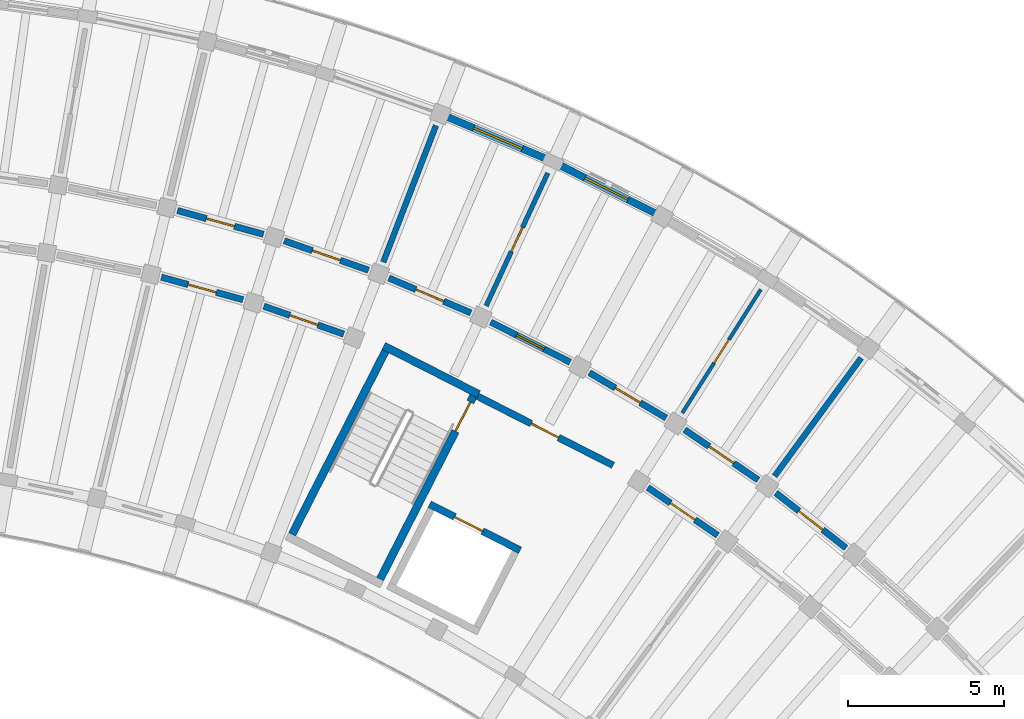
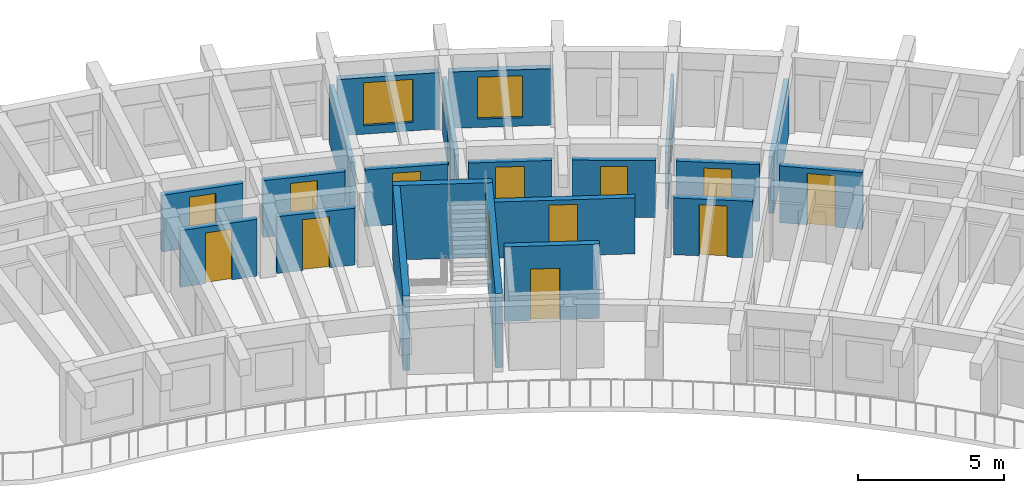
# One storey, part 72 of 96: 21 walls, 15 doors, 2 windows, 17 openings.
"""IFC4 building model written with IfcOpenShell, lengths in metres."""

from ifc_helpers import new_model, si_unit, direction, frame, frame_2d, origin, place, context, subcontext, project, spatial, rectangle, extrude, material, layer, layer_set, type_object, element, fill, save


model = new_model("IFC4")

# Units and contexts
model_context = context("Model", 3, precision=1e-05, world=origin(), true_north=direction((0.0, 1.0)))
body_context = subcontext(model_context, "Body", "Model", "MODEL_VIEW")
ifc_project = project(units=[si_unit("LENGTHUNIT", "METRE"), si_unit("AREAUNIT", "SQUARE_METRE"), si_unit("VOLUMEUNIT", "CUBIC_METRE"), si_unit("PLANEANGLEUNIT", "RADIAN"), si_unit("MASSUNIT", "GRAM", prefix="KILO")], contexts=[model_context])

# Site, building, storey
site_placement = place(None, origin())
site = spatial("IfcSite", under=ifc_project, at=site_placement, CompositionType="ELEMENT")
building_placement = place(site_placement, origin())
building = spatial("IfcBuilding", under=site, at=building_placement, Name="Tanwirah Colonnade Gardens", CompositionType="ELEMENT")
storey_placement = place(building_placement, frame((0.0, 0.0, 12.199951171875)))
storey = spatial("IfcBuildingStorey", under=building, at=storey_placement, Name="L03", CompositionType="ELEMENT", Elevation=12.199951171875)

# Wall, opening, window
ifc_material_1 = material(Name="Limestone architectural precast concrete C40/50", Category="masonry")
ifc_layer_1 = layer(ifc_material_1, 0.239990234375)
ifc_layer_set_1 = layer_set([ifc_layer_1], Name="Limestone architectural precast concrete C40/50")
wall_type_1 = type_object("IfcWallType", Name="EW-PC240", PredefinedType="SOLIDWALL", material=ifc_layer_set_1)
wall_1_placement = place(storey_placement, frame((149.34814453125, 112.56103515625, 0.0), z_axis=(0.0, 0.0, 1.0), x_axis=(-0.892756700232, 0.450539092855, 0.0)))
wall_1 = element("IfcWall", 1, at=wall_1_placement, inside=storey, type_object=wall_type_1, Name="Block B L03 OUT Precast Facade Wall 12", PredefinedType="SOLIDWALL", context=body_context, shape_type="SweptSolid", body=[
    extrude(rectangle(XDim=3.520751953125, YDim=0.239990234375, at=frame_2d((1.76025390625, 0.0))), origin(), (0.0, 0.0, 1.0), 2.35498046875),
])
opening_1_placement = place(wall_1_placement, frame((0.9853515625, 0.0, 0.35009765625)))
opening_1 = element("IfcOpeningElement", 2, at=opening_1_placement, cuts=wall_1, Name="Opening WIN-T09", PredefinedType="OPENING", context=body_context, shape_type="SweptSolid", body=[
    extrude(rectangle(XDim=1.550048828125, YDim=1.75, at=frame_2d((0.77490234375, 0.875))), frame((0.0, 0.1298828125, 0.0), z_axis=(0.0, -1.0, 0.0), x_axis=(1.0, 0.0, 0.0)), (0.0, 0.0, 1.0), 0.260009765625),
])
ifc_material_2 = material(Name="Thermally broken bronze aluminium and solar low-E double glazing", Category="aluminium")
window_type_1 = type_object("IfcWindowType", Name="WIN-T09", PartitioningType="DOUBLE_PANEL_VERTICAL", PredefinedType="WINDOW", material=ifc_material_2)
window_1_placement = place(opening_1_placement, origin())
window_1 = element("IfcWindow", 3, at=window_1_placement, inside=storey, type_object=window_type_1, Name="Facade window B-L03-OUT-12", OverallHeight=1.75, OverallWidth=1.550048828125, PartitioningType="SINGLE_PANEL", PredefinedType="WINDOW", context=body_context, shape_type="SweptSolid", body=[
    extrude(rectangle(XDim=1.550048828125, YDim=1.75, at=frame_2d((0.77490234375, 0.875))), frame((0.0, 0.030029296875, 0.0), z_axis=(0.0, -1.0, 0.0), x_axis=(1.0, 0.0, 0.0)), (0.0, 0.0, 1.0), 0.06005859375),
])
fill(opening_1, window_1)

wall_2_placement = place(storey_placement, frame((145.9150390625, 114.28173828125, 0.0), z_axis=(0.0, 0.0, 1.0), x_axis=(-0.920502438884, 0.390736816807, 0.0)))
wall_2 = element("IfcWall", 4, at=wall_2_placement, inside=storey, type_object=wall_type_1, Name="Block B L03 OUT Precast Facade Wall 13", PredefinedType="SOLIDWALL", context=body_context, shape_type="SweptSolid", body=[
    extrude(rectangle(XDim=3.520751953125, YDim=0.239990234375, at=frame_2d((1.76025390625, 0.0))), origin(), (0.0, 0.0, 1.0), 2.35498046875),
])
opening_2_placement = place(wall_2_placement, frame((0.910400390625, 0.0, 0.35009765625)))
opening_2 = element("IfcOpeningElement", 5, at=opening_2_placement, cuts=wall_2, Name="Opening WIN-T12", PredefinedType="OPENING", context=body_context, shape_type="SweptSolid", body=[
    extrude(rectangle(XDim=1.699951171875, YDim=1.800048828125, at=frame_2d((0.85009765625, 0.89990234375))), frame((0.0, 0.1298828125, 0.0), z_axis=(0.0, -1.0, 0.0), x_axis=(1.0, 0.0, 0.0)), (0.0, 0.0, 1.0), 0.260009765625),
])
window_type_2 = type_object("IfcWindowType", Name="WIN-T12", PartitioningType="TRIPLE_PANEL_VERTICAL", PredefinedType="WINDOW", material=ifc_material_2)
window_2_placement = place(opening_2_placement, origin())
window_2 = element("IfcWindow", 6, at=window_2_placement, inside=storey, type_object=window_type_2, Name="Facade window B-L03-OUT-13", OverallHeight=1.800048828125, OverallWidth=1.699951171875, PartitioningType="SINGLE_PANEL", PredefinedType="WINDOW", context=body_context, shape_type="SweptSolid", body=[
    extrude(rectangle(XDim=1.699951171875, YDim=1.800048828125, at=frame_2d((0.85009765625, 0.89990234375))), frame((0.0, 0.030029296875, 0.0), z_axis=(0.0, -1.0, 0.0), x_axis=(1.0, 0.0, 0.0)), (0.0, 0.0, 1.0), 0.06005859375),
])
fill(opening_2, window_2)

# Wall, opening, door
ifc_material_3 = material(Name="Precast concrete C40/50", Category="concrete")
ifc_layer_2 = layer(ifc_material_3, 0.205078125)
ifc_layer_set_2 = layer_set([ifc_layer_2], Name="Precast concrete C40/50")
wall_type_2 = type_object("IfcWallType", Name="IW-CORR205", PredefinedType="PARTITIONING", material=ifc_layer_set_2)
wall_3_placement = place(storey_placement, frame((155.46728515625, 101.82080078125, 0.0), z_axis=(0.0, 0.0, 1.0), x_axis=(-0.786806323554, 0.617199975061, 0.0)))
wall_3 = element("IfcWall", 7, at=wall_3_placement, inside=storey, type_object=wall_type_2, Name="Block B L03 OUT Corridor Wall 9", PredefinedType="PARTITIONING", context=body_context, shape_type="SweptSolid", body=[
    extrude(rectangle(XDim=2.863037109375, YDim=0.205078125, at=frame_2d((1.431640625, 0.0))), origin(), (0.0, 0.0, 1.0), 2.3701171875),
])
opening_3_placement = place(wall_3_placement, frame((0.946533203125, 0.0, 0.0)))
opening_3 = element("IfcOpeningElement", 8, at=opening_3_placement, cuts=wall_3, Name="Opening L03-AD938", PredefinedType="OPENING", context=body_context, shape_type="SweptSolid", body=[
    extrude(rectangle(XDim=0.969970703125, YDim=2.14990234375, at=frame_2d((0.48486328125, 1.074951171875))), frame((0.0, 0.112548828125, 0.0), z_axis=(0.0, -1.0, 0.0), x_axis=(1.0, 0.0, 0.0)), (0.0, 0.0, 1.0), 0.22509765625),
])
ifc_material_4 = material(Name="Solid oak fire-resisting apartment entrance door")
door_type_1 = type_object("IfcDoorType", Name="ID-FLT097", OperationType="NOTDEFINED", PredefinedType="DOOR", material=ifc_material_4)
door_1_placement = place(opening_3_placement, origin())
door_1 = element("IfcDoor", 9, at=door_1_placement, inside=storey, type_object=door_type_1, Name="Apartment corridor door L03-AD938", OperationType="SINGLE_SWING_LEFT", OverallHeight=2.14990234375, OverallWidth=0.969970703125, PredefinedType="DOOR", context=body_context, shape_type="SweptSolid", body=[
    extrude(rectangle(XDim=0.969970703125, YDim=2.14990234375, at=frame_2d((0.48486328125, 1.074951171875))), frame((0.0, 0.02490234375, 0.0), z_axis=(0.0, -1.0, 0.0), x_axis=(1.0, 0.0, 0.0)), (0.0, 0.0, 1.0), 0.050048828125),
])
fill(opening_3, door_1)

wall_4_placement = place(storey_placement, frame((152.650146484375, 104.001220703125, 0.0), z_axis=(0.0, 0.0, 1.0), x_axis=(-0.825779671787, 0.563992848947, 0.0)))
wall_4 = element("IfcWall", 10, at=wall_4_placement, inside=storey, type_object=wall_type_2, Name="Block B L03 OUT Corridor Wall 10", PredefinedType="PARTITIONING", context=body_context, shape_type="SweptSolid", body=[
    extrude(rectangle(XDim=2.863037109375, YDim=0.205078125, at=frame_2d((1.431640625, 0.0))), origin(), (0.0, 0.0, 1.0), 2.3701171875),
])
opening_4_placement = place(wall_4_placement, frame((0.95654296875, 0.0, 0.0)))
opening_4 = element("IfcOpeningElement", 11, at=opening_4_placement, cuts=wall_4, Name="Opening L03-AD941", PredefinedType="OPENING", context=body_context, shape_type="SweptSolid", body=[
    extrude(rectangle(XDim=0.949951171875, YDim=2.1298828125, at=frame_2d((0.47509765625, 1.06494140625))), frame((0.0, 0.112548828125, 0.0), z_axis=(0.0, -1.0, 0.0), x_axis=(1.0, 0.0, 0.0)), (0.0, 0.0, 1.0), 0.22509765625),
])
door_type_2 = type_object("IfcDoorType", Name="ID-FLT095", OperationType="NOTDEFINED", PredefinedType="DOOR", material=ifc_material_4)
door_2_placement = place(opening_4_placement, origin())
door_2 = element("IfcDoor", 12, at=door_2_placement, inside=storey, type_object=door_type_2, Name="Apartment corridor door L03-AD941", OperationType="SINGLE_SWING_RIGHT", OverallHeight=2.1298828125, OverallWidth=0.949951171875, PredefinedType="DOOR", context=body_context, shape_type="SweptSolid", body=[
    extrude(rectangle(XDim=0.949951171875, YDim=2.1298828125, at=frame_2d((0.47509765625, 1.06494140625))), frame((0.0, 0.02490234375, 0.0), z_axis=(0.0, -1.0, 0.0), x_axis=(1.0, 0.0, 0.0)), (0.0, 0.0, 1.0), 0.050048828125),
])
fill(opening_4, door_2)

wall_5_placement = place(storey_placement, frame((151.35009765625, 102.226318359375, 0.0), z_axis=(0.0, 0.0, 1.0), x_axis=(-0.825752009056, 0.56403334967, 0.0)))
wall_5 = element("IfcWall", 13, at=wall_5_placement, inside=storey, type_object=wall_type_2, Name="Block B L03 IN Corridor Wall 10", PredefinedType="PARTITIONING", context=body_context, shape_type="SweptSolid", body=[
    extrude(rectangle(XDim=2.71826171875, YDim=0.205078125, at=frame_2d((1.359130859375, 0.0))), origin(), (0.0, 0.0, 1.0), 2.3701171875),
])
opening_5_placement = place(wall_5_placement, frame((0.884033203125, 0.0, 0.0)))
opening_5 = element("IfcOpeningElement", 14, at=opening_5_placement, cuts=wall_5, Name="Opening L03-AD942", PredefinedType="OPENING", context=body_context, shape_type="SweptSolid", body=[
    extrude(rectangle(XDim=0.949951171875, YDim=2.1298828125, at=frame_2d((0.47509765625, 1.06494140625))), frame((0.0, 0.112548828125, 0.0), z_axis=(0.0, -1.0, 0.0), x_axis=(1.0, 0.0, 0.0)), (0.0, 0.0, 1.0), 0.22509765625),
])
door_3_placement = place(opening_5_placement, origin())
door_3 = element("IfcDoor", 15, at=door_3_placement, inside=storey, type_object=door_type_2, Name="Apartment corridor door L03-AD942", OperationType="SINGLE_SWING_LEFT", OverallHeight=2.1298828125, OverallWidth=0.949951171875, PredefinedType="DOOR", context=body_context, shape_type="SweptSolid", body=[
    extrude(rectangle(XDim=0.949951171875, YDim=2.1298828125, at=frame_2d((0.47509765625, 1.06494140625))), frame((0.0, 0.02490234375, 0.0), z_axis=(0.0, -1.0, 0.0), x_axis=(1.0, 0.0, 0.0)), (0.0, 0.0, 1.0), 0.050048828125),
])
fill(opening_5, door_3)

wall_6_placement = place(storey_placement, frame((149.6953125, 105.991455078125, 0.0), z_axis=(0.0, 0.0, 1.0), x_axis=(-0.861113214678, 0.508413248753, 0.0)))
wall_6 = element("IfcWall", 16, at=wall_6_placement, inside=storey, type_object=wall_type_2, Name="Block B L03 OUT Corridor Wall 11", PredefinedType="PARTITIONING", context=body_context, shape_type="SweptSolid", body=[
    extrude(rectangle(XDim=2.863037109375, YDim=0.205078125, at=frame_2d((1.431640625, 0.0))), origin(), (0.0, 0.0, 1.0), 2.3701171875),
])
opening_6_placement = place(wall_6_placement, frame((0.966552734375, 0.0, 0.0)))
opening_6 = element("IfcOpeningElement", 17, at=opening_6_placement, cuts=wall_6, Name="Opening L03-AD944", PredefinedType="OPENING", context=body_context, shape_type="SweptSolid", body=[
    extrude(rectangle(XDim=0.929931640625, YDim=2.1201171875, at=frame_2d((0.46484375, 1.06005859375))), frame((0.0, 0.112548828125, 0.0), z_axis=(0.0, -1.0, 0.0), x_axis=(1.0, 0.0, 0.0)), (0.0, 0.0, 1.0), 0.22509765625),
])
door_type_3 = type_object("IfcDoorType", Name="ID-FLT093", OperationType="NOTDEFINED", PredefinedType="DOOR", material=ifc_material_4)
door_4_placement = place(opening_6_placement, origin())
door_4 = element("IfcDoor", 18, at=door_4_placement, inside=storey, type_object=door_type_3, Name="Apartment corridor door L03-AD944", OperationType="SINGLE_SWING_LEFT", OverallHeight=2.1201171875, OverallWidth=0.929931640625, PredefinedType="DOOR", context=body_context, shape_type="SweptSolid", body=[
    extrude(rectangle(XDim=0.929931640625, YDim=2.1201171875, at=frame_2d((0.46484375, 1.06005859375))), frame((0.0, 0.02490234375, 0.0), z_axis=(0.0, -1.0, 0.0), x_axis=(1.0, 0.0, 0.0)), (0.0, 0.0, 1.0), 0.050048828125),
])
fill(opening_6, door_4)

wall_7_placement = place(storey_placement, frame((146.615966796875, 107.782470703125, 0.0), z_axis=(0.0, 0.0, 1.0), x_axis=(-0.89273239336, 0.450587254419, 0.0)))
wall_7 = element("IfcWall", 19, at=wall_7_placement, inside=storey, type_object=wall_type_2, Name="Block B L03 OUT Corridor Wall 12", PredefinedType="PARTITIONING", context=body_context, shape_type="SweptSolid", body=[
    extrude(rectangle(XDim=2.863037109375, YDim=0.205078125, at=frame_2d((1.431640625, 0.0))), origin(), (0.0, 0.0, 1.0), 2.3701171875),
])
opening_7_placement = place(wall_7_placement, frame((0.9365234375, 0.0, 0.0)))
opening_7 = element("IfcOpeningElement", 20, at=opening_7_placement, cuts=wall_7, Name="Opening L03-AD945", PredefinedType="OPENING", context=body_context, shape_type="SweptSolid", body=[
    extrude(rectangle(XDim=0.989990234375, YDim=2.159912109375, at=frame_2d((0.4951171875, 1.080078125))), frame((0.0, 0.112548828125, 0.0), z_axis=(0.0, -1.0, 0.0), x_axis=(1.0, 0.0, 0.0)), (0.0, 0.0, 1.0), 0.22509765625),
])
door_type_4 = type_object("IfcDoorType", Name="ID-FLT099", OperationType="NOTDEFINED", PredefinedType="DOOR", material=ifc_material_4)
door_5_placement = place(opening_7_placement, origin())
door_5 = element("IfcDoor", 21, at=door_5_placement, inside=storey, type_object=door_type_4, Name="Apartment corridor door L03-AD945", OperationType="SINGLE_SWING_RIGHT", OverallHeight=2.159912109375, OverallWidth=0.989990234375, PredefinedType="DOOR", context=body_context, shape_type="SweptSolid", body=[
    extrude(rectangle(XDim=0.989990234375, YDim=2.159912109375, at=frame_2d((0.4951171875, 1.080078125))), frame((0.0, 0.02490234375, 0.0), z_axis=(0.0, -1.0, 0.0), x_axis=(1.0, 0.0, 0.0)), (0.0, 0.0, 1.0), 0.050048828125),
])
fill(opening_7, door_5)

wall_8_placement = place(storey_placement, frame((143.42529296875, 109.366943359375, 0.0), z_axis=(0.0, 0.0, 1.0), x_axis=(-0.920511160294, 0.390716270168, 0.0)))
wall_8 = element("IfcWall", 22, at=wall_8_placement, inside=storey, type_object=wall_type_2, Name="Block B L03 OUT Corridor Wall 13", PredefinedType="PARTITIONING", context=body_context, shape_type="SweptSolid", body=[
    extrude(rectangle(XDim=2.863037109375, YDim=0.205078125, at=frame_2d((1.431640625, 0.0))), origin(), (0.0, 0.0, 1.0), 2.3701171875),
])
opening_8_placement = place(wall_8_placement, frame((0.946533203125, 0.0, 0.0)))
opening_8 = element("IfcOpeningElement", 23, at=opening_8_placement, cuts=wall_8, Name="Opening L03-AD947", PredefinedType="OPENING", context=body_context, shape_type="SweptSolid", body=[
    extrude(rectangle(XDim=0.969970703125, YDim=2.14990234375, at=frame_2d((0.48486328125, 1.074951171875))), frame((0.0, 0.112548828125, 0.0), z_axis=(0.0, -1.0, 0.0), x_axis=(1.0, 0.0, 0.0)), (0.0, 0.0, 1.0), 0.22509765625),
])
door_6_placement = place(opening_8_placement, origin())
door_6 = element("IfcDoor", 24, at=door_6_placement, inside=storey, type_object=door_type_1, Name="Apartment corridor door L03-AD947", OperationType="SINGLE_SWING_LEFT", OverallHeight=2.14990234375, OverallWidth=0.969970703125, PredefinedType="DOOR", context=body_context, shape_type="SweptSolid", body=[
    extrude(rectangle(XDim=0.969970703125, YDim=2.14990234375, at=frame_2d((0.48486328125, 1.074951171875))), frame((0.0, 0.02490234375, 0.0), z_axis=(0.0, -1.0, 0.0), x_axis=(1.0, 0.0, 0.0)), (0.0, 0.0, 1.0), 0.050048828125),
])
fill(opening_8, door_6)

wall_9_placement = place(storey_placement, frame((140.13720703125, 110.737548828125, 0.0), z_axis=(0.0, 0.0, 1.0), x_axis=(-0.944253820929, 0.329218349522, 0.0)))
wall_9 = element("IfcWall", 25, at=wall_9_placement, inside=storey, type_object=wall_type_2, Name="Block B L03 OUT Corridor Wall 14", PredefinedType="PARTITIONING", context=body_context, shape_type="SweptSolid", body=[
    extrude(rectangle(XDim=2.86328125, YDim=0.205078125, at=frame_2d((1.431640625, 0.0))), origin(), (0.0, 0.0, 1.0), 2.3701171875),
])
opening_9_placement = place(wall_9_placement, frame((0.95654296875, 0.0, 0.0)))
opening_9 = element("IfcOpeningElement", 26, at=opening_9_placement, cuts=wall_9, Name="Opening L03-AD948", PredefinedType="OPENING", context=body_context, shape_type="SweptSolid", body=[
    extrude(rectangle(XDim=0.949951171875, YDim=2.1298828125, at=frame_2d((0.47509765625, 1.06494140625))), frame((0.0, 0.112548828125, 0.0), z_axis=(0.0, -1.0, 0.0), x_axis=(1.0, 0.0, 0.0)), (0.0, 0.0, 1.0), 0.22509765625),
])
door_7_placement = place(opening_9_placement, origin())
door_7 = element("IfcDoor", 27, at=door_7_placement, inside=storey, type_object=door_type_2, Name="Apartment corridor door L03-AD948", OperationType="SINGLE_SWING_RIGHT", OverallHeight=2.1298828125, OverallWidth=0.949951171875, PredefinedType="DOOR", context=body_context, shape_type="SweptSolid", body=[
    extrude(rectangle(XDim=0.949951171875, YDim=2.1298828125, at=frame_2d((0.47509765625, 1.06494140625))), frame((0.0, 0.02490234375, 0.0), z_axis=(0.0, -1.0, 0.0), x_axis=(1.0, 0.0, 0.0)), (0.0, 0.0, 1.0), 0.050048828125),
])
fill(opening_9, door_7)

wall_10_placement = place(storey_placement, frame((139.3447265625, 108.685302734375, 0.0), z_axis=(0.0, 0.0, 1.0), x_axis=(-0.944265123647, 0.329185929627, 0.0)))
wall_10 = element("IfcWall", 28, at=wall_10_placement, inside=storey, type_object=wall_type_2, Name="Block B L03 IN Corridor Wall 14", PredefinedType="PARTITIONING", context=body_context, shape_type="SweptSolid", body=[
    extrude(rectangle(XDim=2.71826171875, YDim=0.205078125, at=frame_2d((1.359130859375, 0.0))), origin(), (0.0, 0.0, 1.0), 2.3701171875),
])
opening_10_placement = place(wall_10_placement, frame((0.884033203125, 0.0, 0.0)))
opening_10 = element("IfcOpeningElement", 29, at=opening_10_placement, cuts=wall_10, Name="Opening L03-AD949", PredefinedType="OPENING", context=body_context, shape_type="SweptSolid", body=[
    extrude(rectangle(XDim=0.949951171875, YDim=2.1298828125, at=frame_2d((0.47509765625, 1.06494140625))), frame((0.0, 0.112548828125, 0.0), z_axis=(0.0, -1.0, 0.0), x_axis=(1.0, 0.0, 0.0)), (0.0, 0.0, 1.0), 0.22509765625),
])
door_8_placement = place(opening_10_placement, origin())
door_8 = element("IfcDoor", 30, at=door_8_placement, inside=storey, type_object=door_type_2, Name="Apartment corridor door L03-AD949", OperationType="SINGLE_SWING_LEFT", OverallHeight=2.1298828125, OverallWidth=0.949951171875, PredefinedType="DOOR", context=body_context, shape_type="SweptSolid", body=[
    extrude(rectangle(XDim=0.949951171875, YDim=2.1298828125, at=frame_2d((0.47509765625, 1.06494140625))), frame((0.0, 0.02490234375, 0.0), z_axis=(0.0, -1.0, 0.0), x_axis=(1.0, 0.0, 0.0)), (0.0, 0.0, 1.0), 0.050048828125),
])
fill(opening_10, door_8)

wall_11_placement = place(storey_placement, frame((136.765869140625, 111.888671875, 0.0), z_axis=(0.0, 0.0, 1.0), x_axis=(-0.963890789093, 0.266297853356, 0.0)))
wall_11 = element("IfcWall", 31, at=wall_11_placement, inside=storey, type_object=wall_type_2, Name="Block B L03 OUT Corridor Wall 15", PredefinedType="PARTITIONING", context=body_context, shape_type="SweptSolid", body=[
    extrude(rectangle(XDim=2.863037109375, YDim=0.205078125, at=frame_2d((1.431640625, 0.0))), origin(), (0.0, 0.0, 1.0), 2.3701171875),
])
opening_11_placement = place(wall_11_placement, frame((0.966552734375, 0.0, 0.0)))
opening_11 = element("IfcOpeningElement", 32, at=opening_11_placement, cuts=wall_11, Name="Opening L03-AD950", PredefinedType="OPENING", context=body_context, shape_type="SweptSolid", body=[
    extrude(rectangle(XDim=0.929931640625, YDim=2.1201171875, at=frame_2d((0.46484375, 1.06005859375))), frame((0.0, 0.112548828125, 0.0), z_axis=(0.0, -1.0, 0.0), x_axis=(1.0, 0.0, 0.0)), (0.0, 0.0, 1.0), 0.22509765625),
])
door_9_placement = place(opening_11_placement, origin())
door_9 = element("IfcDoor", 33, at=door_9_placement, inside=storey, type_object=door_type_3, Name="Apartment corridor door L03-AD950", OperationType="SINGLE_SWING_LEFT", OverallHeight=2.1201171875, OverallWidth=0.929931640625, PredefinedType="DOOR", context=body_context, shape_type="SweptSolid", body=[
    extrude(rectangle(XDim=0.929931640625, YDim=2.1201171875, at=frame_2d((0.46484375, 1.06005859375))), frame((0.0, 0.02490234375, 0.0), z_axis=(0.0, -1.0, 0.0), x_axis=(1.0, 0.0, 0.0)), (0.0, 0.0, 1.0), 0.050048828125),
])
fill(opening_11, door_9)

wall_12_placement = place(storey_placement, frame((136.1103515625, 109.78857421875, 0.0), z_axis=(0.0, 0.0, 1.0), x_axis=(-0.96388375821, 0.266323301006, 0.0)))
wall_12 = element("IfcWall", 34, at=wall_12_placement, inside=storey, type_object=wall_type_2, Name="Block B L03 IN Corridor Wall 15", PredefinedType="PARTITIONING", context=body_context, shape_type="SweptSolid", body=[
    extrude(rectangle(XDim=2.718017578125, YDim=0.205078125, at=frame_2d((1.35888671875, 0.0))), origin(), (0.0, 0.0, 1.0), 2.3701171875),
])
opening_12_placement = place(wall_12_placement, frame((0.89404296875, 0.0, 0.0)))
opening_12 = element("IfcOpeningElement", 35, at=opening_12_placement, cuts=wall_12, Name="Opening L03-AD951", PredefinedType="OPENING", context=body_context, shape_type="SweptSolid", body=[
    extrude(rectangle(XDim=0.929931640625, YDim=2.1201171875, at=frame_2d((0.46484375, 1.06005859375))), frame((0.0, 0.112548828125, 0.0), z_axis=(0.0, -1.0, 0.0), x_axis=(1.0, 0.0, 0.0)), (0.0, 0.0, 1.0), 0.22509765625),
])
door_10_placement = place(opening_12_placement, origin())
door_10 = element("IfcDoor", 36, at=door_10_placement, inside=storey, type_object=door_type_3, Name="Apartment corridor door L03-AD951", OperationType="SINGLE_SWING_RIGHT", OverallHeight=2.1201171875, OverallWidth=0.929931640625, PredefinedType="DOOR", context=body_context, shape_type="SweptSolid", body=[
    extrude(rectangle(XDim=0.929931640625, YDim=2.1201171875, at=frame_2d((0.46484375, 1.06005859375))), frame((0.0, 0.02490234375, 0.0), z_axis=(0.0, -1.0, 0.0), x_axis=(1.0, 0.0, 0.0)), (0.0, 0.0, 1.0), 0.050048828125),
])
fill(opening_12, door_10)

# Walls
ifc_layer_3 = layer(ifc_material_3, 0.18505859375)
ifc_layer_set_3 = layer_set([ifc_layer_3], Name="Precast concrete C40/50")
wall_type_3 = type_object("IfcWallType", Name="IW-DEM185", PredefinedType="PARTITIONING", material=ifc_layer_set_3)
wall_13_placement = place(storey_placement, frame((153.175537109375, 104.12646484375, 0.0), z_axis=(0.0, 0.0, 1.0), x_axis=(0.590910940129, 0.806736797745, 0.0)))
element("IfcWall", 37, at=wall_13_placement, inside=storey, type_object=wall_type_3, Name="Block B L03 Radial Partition 9", PredefinedType="PARTITIONING", context=body_context, shape_type="SweptSolid", body=[
    extrude(rectangle(XDim=4.7001953125, YDim=0.18505859375, at=frame_2d((2.35009765625, 0.0))), origin(), (0.0, 0.0, 1.0), 2.3701171875),
])
wall_14_placement = place(storey_placement, frame((140.611572265625, 110.99560546875, 0.0), z_axis=(0.0, 0.0, 1.0), x_axis=(0.360186633854, 0.932880264982, 0.0)))
element("IfcWall", 38, at=wall_14_placement, inside=storey, type_object=wall_type_3, Name="Block B L03 Radial Partition 13", PredefinedType="PARTITIONING", context=body_context, shape_type="SweptSolid", body=[
    extrude(rectangle(XDim=4.699951171875, YDim=0.18505859375, at=frame_2d((2.35009765625, 0.0))), origin(), (0.0, 0.0, 1.0), 2.3701171875),
])

# Wall, opening, door
ifc_material_5 = material(Name="Autoclaved aerated masonry blockwork", Category="masonry")
ifc_layer_4 = layer(ifc_material_5, 0.219970703125)
ifc_layer_set_4 = layer_set([ifc_layer_4], Name="Autoclaved aerated masonry blockwork")
wall_type_4 = type_object("IfcWallType", Name="IW-FFL220", PredefinedType="PARTITIONING", material=ifc_layer_set_4)
wall_15_placement = place(storey_placement, frame((143.624755859375, 106.6962890625, 0.0), z_axis=(0.0, 0.0, 1.0), x_axis=(0.891003372311, -0.453996685595, 0.0)))
wall_15 = element("IfcWall", 39, at=wall_15_placement, inside=storey, type_object=wall_type_4, Name="CORE-B2 L03 Enclosed Lobby Fire Wall", PredefinedType="PARTITIONING", context=body_context, shape_type="SweptSolid", body=[
    extrude(rectangle(XDim=4.900146484375, YDim=0.219970703125, at=frame_2d((2.4501953125, 0.0))), origin(), (0.0, 0.0, 1.0), 2.340087890625),
])
opening_13_placement = place(wall_15_placement, frame((1.949951171875, 0.0, 0.0)))
opening_13 = element("IfcOpeningElement", 40, at=opening_13_placement, cuts=wall_15, Name="Opening L03-LD111", PredefinedType="OPENING", context=body_context, shape_type="SweptSolid", body=[
    extrude(rectangle(XDim=0.97998046875, YDim=2.139892578125, at=frame_2d((0.489990234375, 1.06982421875))), frame((0.0, 0.119873046875, 0.0), z_axis=(0.0, -1.0, 0.0), x_axis=(1.0, 0.0, 0.0)), (0.0, 0.0, 1.0), 0.239990234375),
])
ifc_material_6 = material(Name="Acoustic fire-resisting lobby door")
door_type_5 = type_object("IfcDoorType", Name="ID-FFL098", OperationType="NOTDEFINED", PredefinedType="DOOR", material=ifc_material_6)
door_11_placement = place(opening_13_placement, origin())
door_11 = element("IfcDoor", 41, at=door_11_placement, inside=storey, type_object=door_type_5, Name="CORE-B2 L03 Lobby Fire Door L03-LD111", OperationType="SINGLE_SWING_RIGHT", OverallHeight=2.139892578125, OverallWidth=0.97998046875, PredefinedType="DOOR", context=body_context, shape_type="SweptSolid", body=[
    extrude(rectangle(XDim=0.97998046875, YDim=2.139892578125, at=frame_2d((0.489990234375, 1.06982421875))), frame((0.0, 0.02490234375, 0.0), z_axis=(0.0, -1.0, 0.0), x_axis=(1.0, 0.0, 0.0)), (0.0, 0.0, 1.0), 0.050048828125),
])
fill(opening_13, door_11)

ifc_material_7 = material(Name="Acoustic gypsum stud partition")
ifc_layer_5 = layer(ifc_material_7, 0.114990234375)
ifc_layer_set_5 = layer_set([ifc_layer_5], Name="Acoustic gypsum stud partition")
wall_type_5 = type_object("IfcWallType", Name="IW-INT115", PredefinedType="PARTITIONING", material=ifc_layer_set_5)
wall_16_placement = place(storey_placement, frame((150.21142578125, 106.151123046875, 0.0), z_axis=(0.0, 0.0, 1.0), x_axis=(0.536492262982, 0.843905238614, 0.0)))
wall_16 = element("IfcWall", 42, at=wall_16_placement, inside=storey, type_object=wall_type_5, Name="Block B L03 Radial Partition 10", PredefinedType="PARTITIONING", context=body_context, shape_type="SweptSolid", body=[
    extrude(rectangle(XDim=4.699951171875, YDim=0.114990234375, at=frame_2d((2.35009765625, 0.0))), origin(), (0.0, 0.0, 1.0), 2.3701171875),
])
opening_14_placement = place(wall_16_placement, frame((1.905029296875, 0.0, 0.0)))
opening_14 = element("IfcOpeningElement", 43, at=opening_14_placement, cuts=wall_16, Name="Opening L03-RD943", PredefinedType="OPENING", context=body_context, shape_type="SweptSolid", body=[
    extrude(rectangle(XDim=0.889892578125, YDim=2.10009765625, at=frame_2d((0.44482421875, 1.050048828125))), frame((0.0, 0.0673828125, 0.0), z_axis=(0.0, -1.0, 0.0), x_axis=(1.0, 0.0, 0.0)), (0.0, 0.0, 1.0), 0.135009765625),
])
ifc_material_8 = material(Name="Painted hardwood bedroom door", Category="wood")
door_type_6 = type_object("IfcDoorType", Name="ID-RM089", OperationType="NOTDEFINED", PredefinedType="DOOR", material=ifc_material_8)
door_12_placement = place(opening_14_placement, origin())
door_12 = element("IfcDoor", 44, at=door_12_placement, inside=storey, type_object=door_type_6, Name="Internal apartment door L03-RD943", OperationType="SINGLE_SWING_RIGHT", OverallHeight=2.10009765625, OverallWidth=0.889892578125, PredefinedType="DOOR", context=body_context, shape_type="SweptSolid", body=[
    extrude(rectangle(XDim=0.889892578125, YDim=2.10009765625, at=frame_2d((0.44482421875, 1.050048828125))), frame((0.0, 0.02490234375, 0.0), z_axis=(0.0, -1.0, 0.0), x_axis=(1.0, 0.0, 0.0)), (0.0, 0.0, 1.0), 0.050048828125),
])
fill(opening_14, door_12)

ifc_material_9 = material(Name="Water-resistant acoustic plumbing partition")
ifc_layer_6 = layer(ifc_material_9, 0.14990234375)
ifc_layer_set_6 = layer_set([ifc_layer_6], Name="Water-resistant acoustic plumbing partition")
wall_type_6 = type_object("IfcWallType", Name="IW-WET150", PredefinedType="PLUMBINGWALL", material=ifc_layer_set_6)
wall_17_placement = place(storey_placement, frame((143.915771484375, 109.593017578125, 0.0), z_axis=(0.0, 0.0, 1.0), x_axis=(0.420862519045, 0.907124434718, 0.0)))
wall_17 = element("IfcWall", 45, at=wall_17_placement, inside=storey, type_object=wall_type_6, Name="Block B L03 Radial Partition 12", PredefinedType="PLUMBINGWALL", context=body_context, shape_type="SweptSolid", body=[
    extrude(rectangle(XDim=4.699951171875, YDim=0.14990234375, at=frame_2d((2.35009765625, 0.0))), origin(), (0.0, 0.0, 1.0), 2.3701171875),
])
opening_15_placement = place(wall_17_placement, frame((1.919921875, 0.0, 0.0)))
opening_15 = element("IfcOpeningElement", 46, at=opening_15_placement, cuts=wall_17, Name="Opening L03-RD946", PredefinedType="OPENING", context=body_context, shape_type="SweptSolid", body=[
    extrude(rectangle(XDim=0.860107421875, YDim=2.06005859375, at=frame_2d((0.43017578125, 1.030029296875))), frame((0.0, 0.0849609375, 0.0), z_axis=(0.0, -1.0, 0.0), x_axis=(1.0, 0.0, 0.0)), (0.0, 0.0, 1.0), 0.169921875),
])
ifc_material_10 = material(Name="Moisture-resistant bathroom door")
door_type_7 = type_object("IfcDoorType", Name="ID-WET086", OperationType="NOTDEFINED", PredefinedType="DOOR", material=ifc_material_10)
door_13_placement = place(opening_15_placement, origin())
door_13 = element("IfcDoor", 47, at=door_13_placement, inside=storey, type_object=door_type_7, Name="Internal apartment door L03-RD946", OperationType="SINGLE_SWING_RIGHT", OverallHeight=2.06005859375, OverallWidth=0.860107421875, PredefinedType="DOOR", context=body_context, shape_type="SweptSolid", body=[
    extrude(rectangle(XDim=0.860107421875, YDim=2.06005859375, at=frame_2d((0.43017578125, 1.030029296875))), frame((0.0, 0.02490234375, 0.0), z_axis=(0.0, -1.0, 0.0), x_axis=(1.0, 0.0, 0.0)), (0.0, 0.0, 1.0), 0.050048828125),
])
fill(opening_15, door_13)

# Walls
ifc_material_11 = material(Name="Concrete C45/55", Category="concrete")
ifc_layer_7 = layer(ifc_material_11, 0.25)
ifc_layer_set_7 = layer_set([ifc_layer_7], Name="Concrete C45/55")
wall_type_7 = type_object("IfcWallType", Name="SW-CORE250", PredefinedType="SHEAR", material=ifc_layer_set_7)
wall_18_placement = place(storey_placement, frame((140.68408203125, 108.138671875, 0.0), z_axis=(0.0, 0.0, 1.0), x_axis=(-0.453992276384, -0.891005618941, 0.0)))
element("IfcWall", 48, at=wall_18_placement, inside=storey, type_object=wall_type_7, Name="CORE-B2 L03 Stair Shaft Shear Wall LEFT", PredefinedType="SHEAR", context=body_context, shape_type="SweptSolid", body=[
    extrude(rectangle(XDim=6.599853515625, YDim=0.25, at=frame_2d((3.2998046875, 0.0))), origin(), (0.0, 0.0, 1.0), 3.110107421875),
])
wall_19_placement = place(storey_placement, frame((140.62939453125, 108.306640625, 0.0), z_axis=(0.0, 0.0, 1.0), x_axis=(0.891032414707, -0.453939683153, 0.0)))
element("IfcWall", 49, at=wall_19_placement, inside=storey, type_object=wall_type_7, Name="CORE-B2 L03 Stair Shaft Shear Wall NEAR", PredefinedType="SHEAR", context=body_context, shape_type="SweptSolid", body=[
    extrude(rectangle(XDim=3.419921875, YDim=0.25, at=frame_2d((1.7099609375, 0.0))), origin(), (0.0, 0.0, 1.0), 3.110107421875),
])

# Wall, opening, door
wall_20_placement = place(storey_placement, frame((143.508544921875, 106.699462890625, 0.0), z_axis=(0.0, 0.0, 1.0), x_axis=(-0.453992276384, -0.891005618941, 0.0)))
wall_20 = element("IfcWall", 50, at=wall_20_placement, inside=storey, type_object=wall_type_7, Name="CORE-B2 L03 Stair Shaft Shear Wall RIGHT", PredefinedType="SHEAR", context=body_context, shape_type="SweptSolid", body=[
    extrude(rectangle(XDim=6.599853515625, YDim=0.25, at=frame_2d((3.2998046875, 0.0))), origin(), (0.0, 0.0, 1.0), 3.110107421875),
])
opening_16_placement = place(wall_20_placement, frame((0.219970703125, 0.0, 0.0)))
opening_16 = element("IfcOpeningElement", 51, at=opening_16_placement, cuts=wall_20, Name="Opening L03-SD097", PredefinedType="OPENING", context=body_context, shape_type="SweptSolid", body=[
    extrude(rectangle(XDim=1.050048828125, YDim=2.14990234375, at=frame_2d((0.52490234375, 1.074951171875))), frame((0.0, 0.135009765625, 0.0), z_axis=(0.0, -1.0, 0.0), x_axis=(1.0, 0.0, 0.0)), (0.0, 0.0, 1.0), 0.27001953125),
])
ifc_material_12 = material(Name="Steel fire-resisting stair enclosure door", Category="steel")
door_type_8 = type_object("IfcDoorType", Name="ID-ST105", OperationType="NOTDEFINED", PredefinedType="DOOR", material=ifc_material_12)
door_14_placement = place(opening_16_placement, origin())
door_14 = element("IfcDoor", 52, at=door_14_placement, inside=storey, type_object=door_type_8, Name="CORE-B2 L03 Stair Fire Door L03-SD097", OperationType="SINGLE_SWING_RIGHT", OverallHeight=2.14990234375, OverallWidth=1.050048828125, PredefinedType="DOOR", context=body_context, shape_type="SweptSolid", body=[
    extrude(rectangle(XDim=1.050048828125, YDim=2.14990234375, at=frame_2d((0.52490234375, 1.074951171875))), frame((0.0, 0.02490234375, 0.0), z_axis=(0.0, -1.0, 0.0), x_axis=(1.0, 0.0, 0.0)), (0.0, 0.0, 1.0), 0.050048828125),
])
fill(opening_16, door_14)

ifc_layer_8 = layer(ifc_material_11, 0.22998046875)
ifc_layer_set_8 = layer_set([ifc_layer_8], Name="Concrete C45/55")
wall_type_8 = type_object("IfcWallType", Name="SW-LIFT230", PredefinedType="SHEAR", material=ifc_layer_set_8)
wall_21_placement = place(storey_placement, frame((142.1025390625, 103.223876953125, 0.0), z_axis=(0.0, 0.0, 1.0), x_axis=(0.891001200497, -0.454000947921, 0.0)))
wall_21 = element("IfcWall", 53, at=wall_21_placement, inside=storey, type_object=wall_type_8, Name="CORE-B2 L03 Lift Shaft Wall FRONT", PredefinedType="SHEAR", context=body_context, shape_type="SweptSolid", body=[
    extrude(rectangle(XDim=3.259765625, YDim=0.22998046875, at=frame_2d((1.6298828125, 0.0))), origin(), (0.0, 0.0, 1.0), 3.110107421875),
])
opening_17_placement = place(wall_21_placement, frame((0.89990234375, 0.0, 0.0)))
opening_17 = element("IfcOpeningElement", 54, at=opening_17_placement, cuts=wall_21, Name="Opening L03-LD-PL-B2", PredefinedType="OPENING", context=body_context, shape_type="SweptSolid", body=[
    extrude(rectangle(XDim=1.0, YDim=2.14990234375, at=frame_2d((0.5, 1.074951171875))), frame((0.0, 0.125, 0.0), z_axis=(0.0, -1.0, 0.0), x_axis=(1.0, 0.0, 0.0)), (0.0, 0.0, 1.0), 0.25),
])
ifc_material_13 = material(Name="Bronze stainless steel sliding lift landing door", Category="steel")
door_type_9 = type_object("IfcDoorType", Name="LD-PS10", OperationType="DOUBLE_DOOR_SLIDING", PredefinedType="DOOR", material=ifc_material_13)
door_15_placement = place(opening_17_placement, origin())
door_15 = element("IfcDoor", 55, at=door_15_placement, inside=storey, type_object=door_type_9, Name="Lift PL-B2 L03 Sliding Landing Door", OperationType="DOUBLE_DOOR_SLIDING", OverallHeight=2.14990234375, OverallWidth=1.0, PredefinedType="DOOR", context=body_context, shape_type="SweptSolid", body=[
    extrude(rectangle(XDim=1.0, YDim=2.14990234375, at=frame_2d((0.5, 1.074951171875))), frame((0.0, 0.02490234375, 0.0), z_axis=(0.0, -1.0, 0.0), x_axis=(1.0, 0.0, 0.0)), (0.0, 0.0, 1.0), 0.050048828125),
])
fill(opening_17, door_15)

save(model, "model.ifc")
